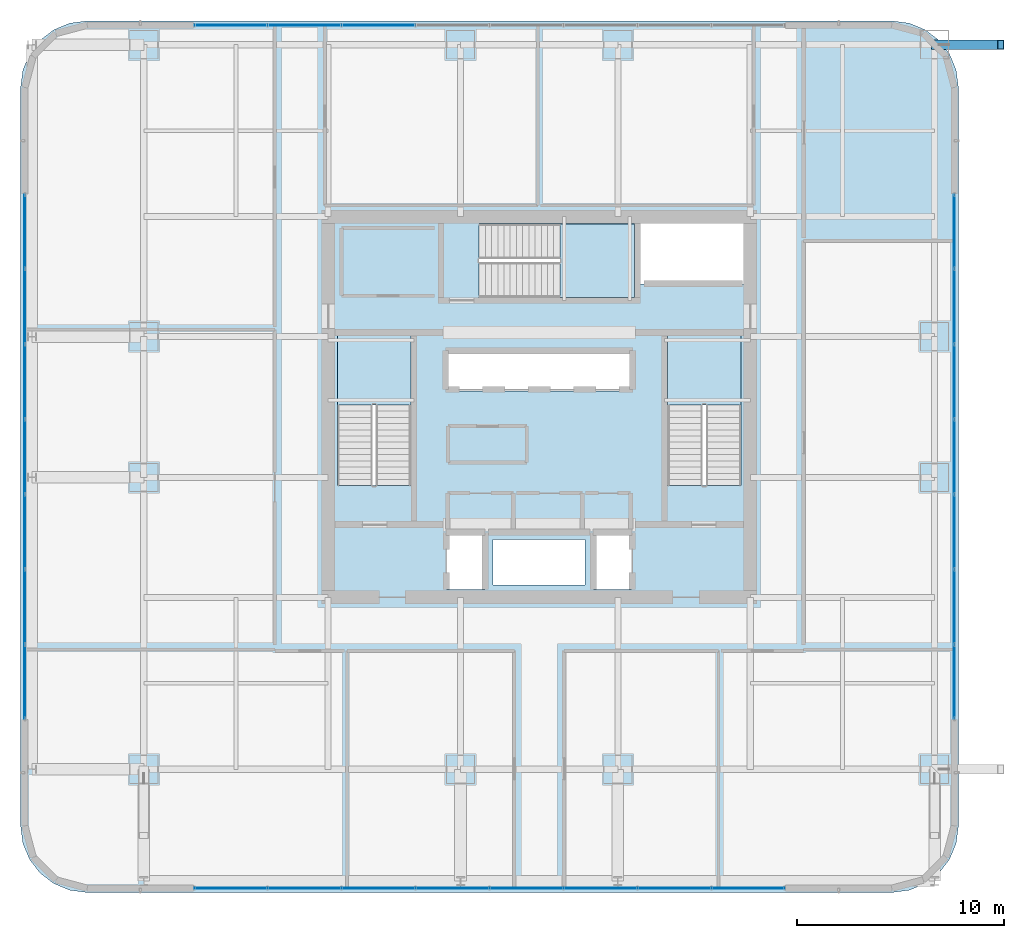
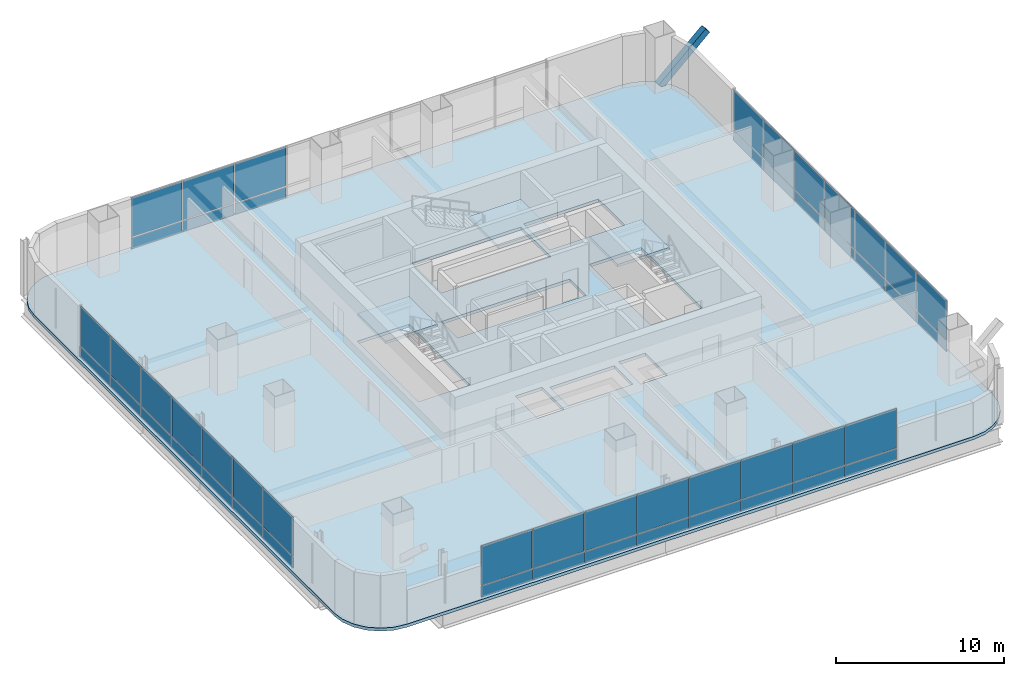
# One storey, part 28 of 46: 50 plates, 4 slabs, 1 member, 7 elements without a shape of their own.
"""IFC4 building model written with IfcOpenShell, lengths in metres."""

import ifcopenshell
import ifcopenshell.guid

model = None  # the IFC model being written
_history = None  # IfcOwnerHistory: only IFC2X3 demands one
_inside = {}  # id of a spatial element -> (the spatial element, [elements in it])
_under = {}  # id of a project, library or spatial element -> (it, [spatial elements below it])
_declared = {}  # id of a project -> (the project, [libraries it declares])
_typed = {}  # id of a type object -> (the type object, [elements of that type])
_made_of = {}  # id of a material, layer set ... -> (it, [elements and type objects made of it])


def new_model(schema):
    """Start an empty IFC model of exactly this schema.

    Asked for "IFC4X3", IfcOpenShell would pick the latest addendum, in which some entities
    have other attributes; the version numbers below select the first issue.
    IFC2X3 requires an IfcOwnerHistory on every rooted entity: one is made here for all.
    """
    global model, _history
    if schema == "IFC4X3":
        model = ifcopenshell.file(schema_version=(4, 3, 0, 0))
    else:
        model = ifcopenshell.file(schema=schema)
    _inside.clear()
    _under.clear()
    _declared.clear()
    _typed.clear()
    _made_of.clear()
    _history = None
    if model.schema == "IFC2X3":
        org = make("IfcOrganization", Name="unknown")
        user = make(
            "IfcPersonAndOrganization",
            ThePerson=make("IfcPerson", FamilyName="unknown"),
            TheOrganization=org,
        )
        app = make(
            "IfcApplication",
            ApplicationDeveloper=org,
            Version="unknown",
            ApplicationFullName="unknown",
            ApplicationIdentifier="unknown",
        )
        _history = make(
            "IfcOwnerHistory",
            OwningUser=user,
            OwningApplication=app,
            ChangeAction="ADDED",
            CreationDate=0,
        )
    return model


def make(cls, **values):
    """One entity of the class cls with the attributes given. An attribute that is None is left unset."""
    return model.create_entity(
        cls, **{name: value for name, value in values.items() if value is not None}
    )


def rooted(cls, **values):
    """An entity with a GlobalId (a new one), such as an element, a storey or a relation."""
    return make(cls, GlobalId=ifcopenshell.guid.new(), OwnerHistory=_history, **values)


def si_unit(unit_type, name, prefix=None):
    """IfcSIUnit, for example si_unit("LENGTHUNIT", "METRE", prefix="MILLI")."""
    return make("IfcSIUnit", UnitType=unit_type, Prefix=prefix, Name=name)


def assignment(units):
    """IfcUnitAssignment: the units of a project."""
    return None if units is None else make("IfcUnitAssignment", Units=units)


def point(xyz):
    """IfcCartesianPoint."""
    return None if xyz is None else make("IfcCartesianPoint", Coordinates=xyz)


def direction(xyz):
    """IfcDirection."""
    return None if xyz is None else make("IfcDirection", DirectionRatios=xyz)


def frame(location, z_axis=None, x_axis=None):
    """IfcAxis2Placement3D, a coordinate frame: its origin and axes. An axis left out is left unset."""
    return make(
        "IfcAxis2Placement3D",
        Location=point(location),
        Axis=direction(z_axis),
        RefDirection=direction(x_axis),
    )


def frame_2d(location, x_axis=None):
    """IfcAxis2Placement2D, a coordinate frame in the plane: its origin and x axis."""
    return make(
        "IfcAxis2Placement2D", Location=point(location), RefDirection=direction(x_axis)
    )


def origin():
    """The frame at (0, 0, 0) with its axes left unset."""
    return frame((0.0, 0.0, 0.0))


def origin_2d():
    """The frame at (0, 0) in the plane with its x axis left unset."""
    return frame_2d((0.0, 0.0))


def place(relative_to, where):
    """IfcLocalPlacement: puts the frame where relative to a parent placement (None: the world)."""
    return make(
        "IfcLocalPlacement", PlacementRelTo=relative_to, RelativePlacement=where
    )


def context(
    kind, dimensions, precision=None, world=None, true_north=None, identifier=None
):
    """IfcGeometricRepresentationContext, for example the 3D "Model" context."""
    return make(
        "IfcGeometricRepresentationContext",
        ContextIdentifier=identifier,
        ContextType=kind,
        CoordinateSpaceDimension=dimensions,
        Precision=precision,
        WorldCoordinateSystem=world,
        TrueNorth=true_north,
    )


def subcontext(parent, identifier, kind, view, scale=None):
    """IfcGeometricRepresentationSubContext, for example "Body" below "Model"."""
    return make(
        "IfcGeometricRepresentationSubContext",
        ContextIdentifier=identifier,
        ContextType=kind,
        ParentContext=parent,
        TargetScale=scale,
        TargetView=view,
    )


def project(units=None, contexts=None):
    """IfcProject with its units and contexts."""
    return rooted(
        "IfcProject",
        Name="project",
        RepresentationContexts=contexts,
        UnitsInContext=assignment(units),
    )


def spatial(cls, under=None, at=None, **own):
    """A site, building, storey or space (cls), placed at a placement, below another one or the project."""
    s = rooted(cls, ObjectPlacement=at, **own)
    if under is not None:
        _under.setdefault(under.id(), (under, []))[1].append(s)
    return s


def polyline(points):
    """IfcPolyline through the points."""
    return make("IfcPolyline", Points=[point(p) for p in points])


def profile(cls, at=None, kind="AREA", **sizes):
    """A parametric profile (cls). Its sizes go by their IFC names, for example OverallWidth=200.0."""
    return make(cls, ProfileType=kind, Position=at, **sizes)


def rectangle(**sizes):
    """IfcRectangleProfileDef."""
    return profile("IfcRectangleProfileDef", **sizes)


def hollow_rectangle(**sizes):
    """IfcRectangleHollowProfileDef."""
    return profile("IfcRectangleHollowProfileDef", **sizes)


def outline(outer, holes=None, kind="AREA"):
    """IfcArbitraryClosedProfileDef: a profile drawn as a closed curve; with holes, ...WithVoids."""
    if holes is None:
        return make("IfcArbitraryClosedProfileDef", ProfileType=kind, OuterCurve=outer)
    return make(
        "IfcArbitraryProfileDefWithVoids",
        ProfileType=kind,
        OuterCurve=outer,
        InnerCurves=holes,
    )


def extrude(swept, where, along, depth):
    """IfcExtrudedAreaSolid: the profile swept, set in the frame where, extruded along a direction by depth."""
    return make(
        "IfcExtrudedAreaSolid",
        SweptArea=swept,
        Position=where,
        ExtrudedDirection=direction(along),
        Depth=depth,
    )


def shape(context_of_items, identifier, shape_type, items):
    """IfcShapeRepresentation: the items that make up one representation, for example the "Body"."""
    return make(
        "IfcShapeRepresentation",
        ContextOfItems=context_of_items,
        RepresentationIdentifier=identifier,
        RepresentationType=shape_type,
        Items=items,
    )


def material(Name=None, Category=None):
    """IfcMaterial."""
    return make("IfcMaterial", Name=Name, Category=Category)


def layer(
    of_material, thickness, ventilated=None, Name=None, Category=None, Priority=None
):
    """IfcMaterialLayer: one layer of a wall or slab, of a material (None: an air gap)."""
    return make(
        "IfcMaterialLayer",
        Material=of_material,
        LayerThickness=thickness,
        IsVentilated=ventilated,
        Name=Name,
        Category=Category,
        Priority=Priority,
    )


def layer_set(layers, Name=None):
    """IfcMaterialLayerSet."""
    return make("IfcMaterialLayerSet", MaterialLayers=layers, LayerSetName=Name)


def material_profile(
    of_material, cross_section, Name=None, Category=None, Priority=None
):
    """IfcMaterialProfile: a cross section and its material."""
    return make(
        "IfcMaterialProfile",
        Name=Name,
        Material=of_material,
        Profile=cross_section,
        Priority=Priority,
        Category=Category,
    )


def profile_set(profiles, Name=None, composite=None):
    """IfcMaterialProfileSet."""
    return make(
        "IfcMaterialProfileSet",
        Name=Name,
        MaterialProfiles=profiles,
        CompositeProfile=composite,
    )


def made_of(thing, what):
    """Note that an element or type object is made of a material, layer set ...; save() writes the relation."""
    if what is not None:
        _made_of.setdefault(what.id(), (what, []))[1].append(thing)
    return thing


def type_object(cls, material=None, **own):
    """A type object (cls), such as IfcWallType, which elements share."""
    return made_of(rooted(cls, **own), material)


def element(
    cls,
    number,
    at=None,
    inside=None,
    cuts=None,
    type_object=None,
    material=None,
    context=None,
    identifier="Body",
    shape_type=None,
    held_by="IfcProductDefinitionShape",
    body=None,
    shapes=None,
    **own,
):
    """One element of the class cls, such as IfcWall. Its Tag is "e" and its number.

    at: its placement. inside: the storey or other place that contains it. cuts: it is an
    opening in that element (IfcRelVoidsElement). A single representation is given by context,
    identifier, shape_type and body (its items); several are given by shapes. held_by: the class
    of the entity that holds the representations. save() writes the other relations.
    """
    e = rooted(cls, Tag="e%d" % number, ObjectPlacement=at, **own)
    if body is not None:
        shapes = [shape(context, identifier, shape_type, body)]
    if shapes is not None:
        e.Representation = make(held_by, Representations=shapes)
    if inside is not None:
        _inside.setdefault(inside.id(), (inside, []))[1].append(e)
    if cuts is not None:
        rooted(
            "IfcRelVoidsElement", RelatingBuildingElement=cuts, RelatedOpeningElement=e
        )
    if type_object is not None:
        _typed.setdefault(type_object.id(), (type_object, []))[1].append(e)
    return made_of(e, material)


def aggregate(whole, parts):
    """IfcRelAggregates: a whole, such as a stair, and the parts it consists of."""
    return rooted("IfcRelAggregates", RelatingObject=whole, RelatedObjects=parts)


def save(model, path):
    """Write the relations noted so far, then the file.

    IfcRelAggregates (storeys below a building ...), IfcRelContainedInSpatialStructure (elements
    in a storey), IfcRelDefinesByType, IfcRelAssociatesMaterial and IfcRelDeclares: one each for
    every whole, place, type object, material and project.
    """
    for whole, parts in _under.values():
        aggregate(whole, parts)
    for where, things in _inside.values():
        rooted(
            "IfcRelContainedInSpatialStructure",
            RelatedElements=things,
            RelatingStructure=where,
        )
    for kind, things in _typed.values():
        rooted("IfcRelDefinesByType", RelatedObjects=things, RelatingType=kind)
    for what, things in _made_of.values():
        rooted("IfcRelAssociatesMaterial", RelatedObjects=things, RelatingMaterial=what)
    for by, libraries in _declared.values():
        rooted("IfcRelDeclares", RelatingContext=by, RelatedDefinitions=libraries)
    model.write(path)


model = new_model("IFC4")

# Units and contexts
model_context = context("Model", 3, precision=1e-05, world=origin(), true_north=direction((0.0, 1.0)))
body_context = subcontext(model_context, "Body", "Model", "MODEL_VIEW")
ifc_project = project(units=[si_unit("LENGTHUNIT", "METRE"), si_unit("AREAUNIT", "SQUARE_METRE"), si_unit("VOLUMEUNIT", "CUBIC_METRE"), si_unit("PLANEANGLEUNIT", "RADIAN"), si_unit("MASSUNIT", "GRAM", prefix="KILO")], contexts=[model_context])

# Site, building, storey
site_placement = place(None, origin())
site = spatial("IfcSite", under=ifc_project, at=site_placement, CompositionType="ELEMENT")
building_placement = place(site_placement, origin())
building = spatial("IfcBuilding", under=site, at=building_placement, Name="Punatoya Terracotta Tower", CompositionType="ELEMENT")
storey_placement = place(building_placement, frame((0.0, 0.0, 200.550048828125)))
storey = spatial("IfcBuildingStorey", under=building, at=storey_placement, Name="L47", CompositionType="ELEMENT", Elevation=200.550048828125)

# Member
ifc_material_1 = material(Name="Steel S460", Category="steel")
ifc_material_profile = material_profile(ifc_material_1, hollow_rectangle(XDim=0.449951171875, YDim=0.449951171875, WallThickness=0.02490234375, at=origin_2d()))
ifc_profile_set = profile_set([ifc_material_profile], Name="Steel S460")
member_type = type_object("IfcMemberType", Name="MEM-STR-450", PredefinedType="STRUT", material=ifc_profile_set)
member_placement = place(storey_placement, frame((19.10009765625, 17.5, 0.02001953125), z_axis=(0.735244168043, 0.0, 0.677802340922), x_axis=(0.0, 1.0, 0.0)))
element("IfcMember", 1, at=member_placement, inside=storey, type_object=member_type, Name="L48 Cantilever Raking Knee-Strut E2", PredefinedType="STRUT", context=body_context, shape_type="SweptSolid", body=[
    extrude(hollow_rectangle(XDim=0.449951171875, YDim=0.449951171875, WallThickness=0.02490234375, at=origin_2d()), origin(), (0.0, 0.0, 1.0), 4.352294921875),
])

# Curtain wall, plates
ifc_material_2 = material(Name="Aluminium 6063-T6 + Double Low-E Glass", Category="aluminium")
curtain_wall_type = type_object("IfcCurtainWallType", Name="CW-M2", PredefinedType="NOTDEFINED", material=ifc_material_2)
curtain_wall_1_placement = place(storey_placement, origin())
curtain_wall_1 = element("IfcCurtainWall", 2, at=curtain_wall_1_placement, inside=storey, type_object=curtain_wall_type, Name="L47 Curtain Wall CW-L47-S01-1", PredefinedType="NOTDEFINED")
ifc_material_3 = material(Name="Double Low-E Acoustic Vision Glass", Category="glass")
ifc_layer_1 = layer(ifc_material_3, 0.031982421875)
ifc_layer_set_1 = layer_set([ifc_layer_1], Name="Double Low-E Acoustic Vision Glass")
plate_type_1 = type_object("IfcPlateType", Name="PLT-GLZ-32", PredefinedType="CURTAIN_PANEL", material=ifc_layer_set_1)
plate_1_placement = place(storey_placement, frame((-14.91259765625, -23.25, 0.89013671875), z_axis=(0.0, 0.0, 1.0), x_axis=(1.0, 0.0, 0.0)))
plate_1 = element("IfcPlate", 3, at=plate_1_placement, type_object=plate_type_1, Name="CW-L47-S01-1 Vision Glass Panel 1", PredefinedType="CURTAIN_PANEL", context=body_context, shape_type="SweptSolid", body=[
    extrude(rectangle(XDim=3.489990234375, YDim=0.031982421875, at=origin_2d()), origin(), (0.0, 0.0, 1.0), 2.840087890625),
])
plate_2_placement = place(storey_placement, frame((-11.33740234375, -23.25, 0.89013671875), z_axis=(0.0, 0.0, 1.0), x_axis=(1.0, 0.0, 0.0)))
plate_2 = element("IfcPlate", 4, at=plate_2_placement, type_object=plate_type_1, Name="CW-L47-S01-1 Vision Glass Panel 2", PredefinedType="CURTAIN_PANEL", context=body_context, shape_type="SweptSolid", body=[
    extrude(rectangle(XDim=3.489990234375, YDim=0.031982421875, at=origin_2d()), origin(), (0.0, 0.0, 1.0), 2.840087890625),
])
plate_3_placement = place(storey_placement, frame((-7.762451171875, -23.25, 0.89013671875), z_axis=(0.0, 0.0, 1.0), x_axis=(1.0, 0.0, 0.0)))
plate_3 = element("IfcPlate", 5, at=plate_3_placement, type_object=plate_type_1, Name="CW-L47-S01-1 Vision Glass Panel 3", PredefinedType="CURTAIN_PANEL", context=body_context, shape_type="SweptSolid", body=[
    extrude(rectangle(XDim=3.489990234375, YDim=0.031982421875, at=origin_2d()), origin(), (0.0, 0.0, 1.0), 2.840087890625),
])
plate_4_placement = place(storey_placement, frame((-4.1875, -23.25, 0.89013671875), z_axis=(0.0, 0.0, 1.0), x_axis=(1.0, 0.0, 0.0)))
plate_4 = element("IfcPlate", 6, at=plate_4_placement, type_object=plate_type_1, Name="CW-L47-S01-1 Vision Glass Panel 4", PredefinedType="CURTAIN_PANEL", context=body_context, shape_type="SweptSolid", body=[
    extrude(rectangle(XDim=3.489990234375, YDim=0.031982421875, at=origin_2d()), origin(), (0.0, 0.0, 1.0), 2.840087890625),
])
plate_5_placement = place(storey_placement, frame((-0.612548828125, -23.25, 0.89013671875), z_axis=(0.0, 0.0, 1.0), x_axis=(1.0, 0.0, 0.0)))
plate_5 = element("IfcPlate", 7, at=plate_5_placement, type_object=plate_type_1, Name="CW-L47-S01-1 Vision Glass Panel 5", PredefinedType="CURTAIN_PANEL", context=body_context, shape_type="SweptSolid", body=[
    extrude(rectangle(XDim=3.489990234375, YDim=0.031982421875, at=origin_2d()), origin(), (0.0, 0.0, 1.0), 2.840087890625),
])
plate_6_placement = place(storey_placement, frame((2.96240234375, -23.25, 0.89013671875), z_axis=(0.0, 0.0, 1.0), x_axis=(1.0, 0.0, 0.0)))
plate_6 = element("IfcPlate", 8, at=plate_6_placement, type_object=plate_type_1, Name="CW-L47-S01-1 Vision Glass Panel 6", PredefinedType="CURTAIN_PANEL", context=body_context, shape_type="SweptSolid", body=[
    extrude(rectangle(XDim=3.489990234375, YDim=0.031982421875, at=origin_2d()), origin(), (0.0, 0.0, 1.0), 2.840087890625),
])
plate_7_placement = place(storey_placement, frame((6.53759765625, -23.25, 0.89013671875), z_axis=(0.0, 0.0, 1.0), x_axis=(1.0, 0.0, 0.0)))
plate_7 = element("IfcPlate", 9, at=plate_7_placement, type_object=plate_type_1, Name="CW-L47-S01-1 Vision Glass Panel 7", PredefinedType="CURTAIN_PANEL", context=body_context, shape_type="SweptSolid", body=[
    extrude(rectangle(XDim=3.489990234375, YDim=0.031982421875, at=origin_2d()), origin(), (0.0, 0.0, 1.0), 2.840087890625),
])
plate_8_placement = place(storey_placement, frame((10.112548828125, -23.25, 0.89013671875), z_axis=(0.0, 0.0, 1.0), x_axis=(1.0, 0.0, 0.0)))
plate_8 = element("IfcPlate", 10, at=plate_8_placement, type_object=plate_type_1, Name="CW-L47-S01-1 Vision Glass Panel 8", PredefinedType="CURTAIN_PANEL", context=body_context, shape_type="SweptSolid", body=[
    extrude(rectangle(XDim=3.489990234375, YDim=0.031982421875, at=origin_2d()), origin(), (0.0, 0.0, 1.0), 2.840087890625),
])

curtain_wall_2_placement = place(storey_placement, origin())
curtain_wall_2 = element("IfcCurtainWall", 11, at=curtain_wall_2_placement, inside=storey, type_object=curtain_wall_type, Name="L47 Curtain Wall CW-L47-E05-1", PredefinedType="NOTDEFINED")
plate_9_placement = place(storey_placement, frame((20.050048828125, -13.28564453125, 0.89013671875), z_axis=(0.0, 0.0, 1.0), x_axis=(0.0, 1.0, 0.0)))
plate_9 = element("IfcPlate", 12, at=plate_9_placement, type_object=plate_type_1, Name="CW-L47-E05-1 Vision Glass Panel 1", PredefinedType="CURTAIN_PANEL", context=body_context, shape_type="SweptSolid", body=[
    extrude(rectangle(XDim=3.543701171875, YDim=0.031982421875, at=origin_2d()), origin(), (0.0, 0.0, 1.0), 2.840087890625),
])
plate_10_placement = place(storey_placement, frame((20.050048828125, -9.656982421875, 0.89013671875), z_axis=(0.0, 0.0, 1.0), x_axis=(0.0, 1.0, 0.0)))
plate_10 = element("IfcPlate", 13, at=plate_10_placement, type_object=plate_type_1, Name="CW-L47-E05-1 Vision Glass Panel 2", PredefinedType="CURTAIN_PANEL", context=body_context, shape_type="SweptSolid", body=[
    extrude(rectangle(XDim=3.543701171875, YDim=0.031982421875, at=origin_2d()), origin(), (0.0, 0.0, 1.0), 2.840087890625),
])
plate_11_placement = place(storey_placement, frame((20.050048828125, -6.028564453125, 0.89013671875), z_axis=(0.0, 0.0, 1.0), x_axis=(0.0, 1.0, 0.0)))
plate_11 = element("IfcPlate", 14, at=plate_11_placement, type_object=plate_type_1, Name="CW-L47-E05-1 Vision Glass Panel 3", PredefinedType="CURTAIN_PANEL", context=body_context, shape_type="SweptSolid", body=[
    extrude(rectangle(XDim=3.543701171875, YDim=0.031982421875, at=origin_2d()), origin(), (0.0, 0.0, 1.0), 2.840087890625),
])
plate_12_placement = place(storey_placement, frame((20.050048828125, -2.39990234375, 0.89013671875), z_axis=(0.0, 0.0, 1.0), x_axis=(0.0, 1.0, 0.0)))
plate_12 = element("IfcPlate", 15, at=plate_12_placement, type_object=plate_type_1, Name="CW-L47-E05-1 Vision Glass Panel 4", PredefinedType="CURTAIN_PANEL", context=body_context, shape_type="SweptSolid", body=[
    extrude(rectangle(XDim=3.543701171875, YDim=0.031982421875, at=origin_2d()), origin(), (0.0, 0.0, 1.0), 2.840087890625),
])
plate_13_placement = place(storey_placement, frame((20.050048828125, 1.228515625, 0.89013671875), z_axis=(0.0, 0.0, 1.0), x_axis=(0.0, 1.0, 0.0)))
plate_13 = element("IfcPlate", 16, at=plate_13_placement, type_object=plate_type_1, Name="CW-L47-E05-1 Vision Glass Panel 5", PredefinedType="CURTAIN_PANEL", context=body_context, shape_type="SweptSolid", body=[
    extrude(rectangle(XDim=3.543701171875, YDim=0.031982421875, at=origin_2d()), origin(), (0.0, 0.0, 1.0), 2.840087890625),
])
plate_14_placement = place(storey_placement, frame((20.050048828125, 4.857177734375, 0.89013671875), z_axis=(0.0, 0.0, 1.0), x_axis=(0.0, 1.0, 0.0)))
plate_14 = element("IfcPlate", 17, at=plate_14_placement, type_object=plate_type_1, Name="CW-L47-E05-1 Vision Glass Panel 6", PredefinedType="CURTAIN_PANEL", context=body_context, shape_type="SweptSolid", body=[
    extrude(rectangle(XDim=3.543701171875, YDim=0.031982421875, at=origin_2d()), origin(), (0.0, 0.0, 1.0), 2.840087890625),
])
plate_15_placement = place(storey_placement, frame((20.050048828125, 8.485595703125, 0.89013671875), z_axis=(0.0, 0.0, 1.0), x_axis=(0.0, 1.0, 0.0)))
plate_15 = element("IfcPlate", 18, at=plate_15_placement, type_object=plate_type_1, Name="CW-L47-E05-1 Vision Glass Panel 7", PredefinedType="CURTAIN_PANEL", context=body_context, shape_type="SweptSolid", body=[
    extrude(rectangle(XDim=3.543701171875, YDim=0.031982421875, at=origin_2d()), origin(), (0.0, 0.0, 1.0), 2.840087890625),
])

curtain_wall_3_placement = place(storey_placement, origin())
curtain_wall_3 = element("IfcCurtainWall", 19, at=curtain_wall_3_placement, inside=storey, type_object=curtain_wall_type, Name="L47 Curtain Wall CW-L47-N09-1", PredefinedType="NOTDEFINED")
plate_16_placement = place(storey_placement, frame((-7.762451171875, 18.449951171875, 0.89013671875), z_axis=(0.0, 0.0, 1.0), x_axis=(-1.0, 0.0, 0.0)))
plate_16 = element("IfcPlate", 20, at=plate_16_placement, type_object=plate_type_1, Name="CW-L47-N09-1 Vision Glass Panel 6", PredefinedType="CURTAIN_PANEL", context=body_context, shape_type="SweptSolid", body=[
    extrude(rectangle(XDim=3.489990234375, YDim=0.031982421875, at=origin_2d()), origin(), (0.0, 0.0, 1.0), 2.840087890625),
])
plate_17_placement = place(storey_placement, frame((-11.33740234375, 18.449951171875, 0.89013671875), z_axis=(0.0, 0.0, 1.0), x_axis=(-1.0, 0.0, 0.0)))
plate_17 = element("IfcPlate", 21, at=plate_17_placement, type_object=plate_type_1, Name="CW-L47-N09-1 Vision Glass Panel 7", PredefinedType="CURTAIN_PANEL", context=body_context, shape_type="SweptSolid", body=[
    extrude(rectangle(XDim=3.489990234375, YDim=0.031982421875, at=origin_2d()), origin(), (0.0, 0.0, 1.0), 2.840087890625),
])
plate_18_placement = place(storey_placement, frame((-14.91259765625, 18.449951171875, 0.89013671875), z_axis=(0.0, 0.0, 1.0), x_axis=(-1.0, 0.0, 0.0)))
plate_18 = element("IfcPlate", 22, at=plate_18_placement, type_object=plate_type_1, Name="CW-L47-N09-1 Vision Glass Panel 8", PredefinedType="CURTAIN_PANEL", context=body_context, shape_type="SweptSolid", body=[
    extrude(rectangle(XDim=3.489990234375, YDim=0.031982421875, at=origin_2d()), origin(), (0.0, 0.0, 1.0), 2.840087890625),
])

curtain_wall_4_placement = place(storey_placement, origin())
curtain_wall_4 = element("IfcCurtainWall", 23, at=curtain_wall_4_placement, inside=storey, type_object=curtain_wall_type, Name="L47 Curtain Wall CW-L47-W13-1", PredefinedType="NOTDEFINED")
plate_19_placement = place(storey_placement, frame((-24.85009765625, 8.485595703125, 0.89013671875), z_axis=(0.0, 0.0, 1.0), x_axis=(0.0, -1.0, 0.0)))
plate_19 = element("IfcPlate", 24, at=plate_19_placement, type_object=plate_type_1, Name="CW-L47-W13-1 Vision Glass Panel 1", PredefinedType="CURTAIN_PANEL", context=body_context, shape_type="SweptSolid", body=[
    extrude(rectangle(XDim=3.543701171875, YDim=0.031982421875, at=origin_2d()), origin(), (0.0, 0.0, 1.0), 2.840087890625),
])
plate_20_placement = place(storey_placement, frame((-24.85009765625, 4.857177734375, 0.89013671875), z_axis=(0.0, 0.0, 1.0), x_axis=(0.0, -1.0, 0.0)))
plate_20 = element("IfcPlate", 25, at=plate_20_placement, type_object=plate_type_1, Name="CW-L47-W13-1 Vision Glass Panel 2", PredefinedType="CURTAIN_PANEL", context=body_context, shape_type="SweptSolid", body=[
    extrude(rectangle(XDim=3.543701171875, YDim=0.031982421875, at=origin_2d()), origin(), (0.0, 0.0, 1.0), 2.840087890625),
])
plate_21_placement = place(storey_placement, frame((-24.85009765625, 1.228515625, 0.89013671875), z_axis=(0.0, 0.0, 1.0), x_axis=(0.0, -1.0, 0.0)))
plate_21 = element("IfcPlate", 26, at=plate_21_placement, type_object=plate_type_1, Name="CW-L47-W13-1 Vision Glass Panel 3", PredefinedType="CURTAIN_PANEL", context=body_context, shape_type="SweptSolid", body=[
    extrude(rectangle(XDim=3.543701171875, YDim=0.031982421875, at=origin_2d()), origin(), (0.0, 0.0, 1.0), 2.840087890625),
])
plate_22_placement = place(storey_placement, frame((-24.85009765625, -2.39990234375, 0.89013671875), z_axis=(0.0, 0.0, 1.0), x_axis=(0.0, -1.0, 0.0)))
plate_22 = element("IfcPlate", 27, at=plate_22_placement, type_object=plate_type_1, Name="CW-L47-W13-1 Vision Glass Panel 4", PredefinedType="CURTAIN_PANEL", context=body_context, shape_type="SweptSolid", body=[
    extrude(rectangle(XDim=3.543701171875, YDim=0.031982421875, at=origin_2d()), origin(), (0.0, 0.0, 1.0), 2.840087890625),
])
plate_23_placement = place(storey_placement, frame((-24.85009765625, -6.028564453125, 0.89013671875), z_axis=(0.0, 0.0, 1.0), x_axis=(0.0, -1.0, 0.0)))
plate_23 = element("IfcPlate", 28, at=plate_23_placement, type_object=plate_type_1, Name="CW-L47-W13-1 Vision Glass Panel 5", PredefinedType="CURTAIN_PANEL", context=body_context, shape_type="SweptSolid", body=[
    extrude(rectangle(XDim=3.543701171875, YDim=0.031982421875, at=origin_2d()), origin(), (0.0, 0.0, 1.0), 2.840087890625),
])
plate_24_placement = place(storey_placement, frame((-24.85009765625, -9.656982421875, 0.89013671875), z_axis=(0.0, 0.0, 1.0), x_axis=(0.0, -1.0, 0.0)))
plate_24 = element("IfcPlate", 29, at=plate_24_placement, type_object=plate_type_1, Name="CW-L47-W13-1 Vision Glass Panel 6", PredefinedType="CURTAIN_PANEL", context=body_context, shape_type="SweptSolid", body=[
    extrude(rectangle(XDim=3.543701171875, YDim=0.031982421875, at=origin_2d()), origin(), (0.0, 0.0, 1.0), 2.840087890625),
])
plate_25_placement = place(storey_placement, frame((-24.85009765625, -13.28564453125, 0.89013671875), z_axis=(0.0, 0.0, 1.0), x_axis=(0.0, -1.0, 0.0)))
plate_25 = element("IfcPlate", 30, at=plate_25_placement, type_object=plate_type_1, Name="CW-L47-W13-1 Vision Glass Panel 7", PredefinedType="CURTAIN_PANEL", context=body_context, shape_type="SweptSolid", body=[
    extrude(rectangle(XDim=3.543701171875, YDim=0.031982421875, at=origin_2d()), origin(), (0.0, 0.0, 1.0), 2.840087890625),
])

# Plate
ifc_material_4 = material(Name="Insulated Terracotta-Backed Spandrel Panel", Category="masonry")
ifc_layer_2 = layer(ifc_material_4, 0.044921875)
ifc_layer_set_2 = layer_set([ifc_layer_2], Name="Insulated Terracotta-Backed Spandrel Panel")
plate_type_2 = type_object("IfcPlateType", Name="PLT-SPN-45", PredefinedType="CURTAIN_PANEL", material=ifc_layer_set_2)
plate_26_placement = place(storey_placement, frame((-14.91259765625, -23.25, 0.0400390625), z_axis=(0.0, 0.0, 1.0), x_axis=(1.0, 0.0, 0.0)))
plate_26 = element("IfcPlate", 31, at=plate_26_placement, type_object=plate_type_2, Name="CW-L47-S01-1 Terracotta Spandrel Panel 1", PredefinedType="CURTAIN_PANEL", context=body_context, shape_type="SweptSolid", body=[
    extrude(rectangle(XDim=3.489990234375, YDim=0.044921875, at=origin_2d()), origin(), (0.0, 0.0, 1.0), 0.77490234375),
])

plate_27_placement = place(storey_placement, frame((-11.33740234375, -23.25, 0.0400390625), z_axis=(0.0, 0.0, 1.0), x_axis=(1.0, 0.0, 0.0)))
plate_27 = element("IfcPlate", 32, at=plate_27_placement, type_object=plate_type_2, Name="CW-L47-S01-1 Terracotta Spandrel Panel 2", PredefinedType="CURTAIN_PANEL", context=body_context, shape_type="SweptSolid", body=[
    extrude(rectangle(XDim=3.489990234375, YDim=0.044921875, at=origin_2d()), origin(), (0.0, 0.0, 1.0), 0.77490234375),
])

plate_28_placement = place(storey_placement, frame((-7.762451171875, -23.25, 0.0400390625), z_axis=(0.0, 0.0, 1.0), x_axis=(1.0, 0.0, 0.0)))
plate_28 = element("IfcPlate", 33, at=plate_28_placement, type_object=plate_type_2, Name="CW-L47-S01-1 Terracotta Spandrel Panel 3", PredefinedType="CURTAIN_PANEL", context=body_context, shape_type="SweptSolid", body=[
    extrude(rectangle(XDim=3.489990234375, YDim=0.044921875, at=origin_2d()), origin(), (0.0, 0.0, 1.0), 0.77490234375),
])

plate_29_placement = place(storey_placement, frame((-4.1875, -23.25, 0.0400390625), z_axis=(0.0, 0.0, 1.0), x_axis=(1.0, 0.0, 0.0)))
plate_29 = element("IfcPlate", 34, at=plate_29_placement, type_object=plate_type_2, Name="CW-L47-S01-1 Terracotta Spandrel Panel 4", PredefinedType="CURTAIN_PANEL", context=body_context, shape_type="SweptSolid", body=[
    extrude(rectangle(XDim=3.489990234375, YDim=0.044921875, at=origin_2d()), origin(), (0.0, 0.0, 1.0), 0.77490234375),
])

plate_30_placement = place(storey_placement, frame((-0.612548828125, -23.25, 0.0400390625), z_axis=(0.0, 0.0, 1.0), x_axis=(1.0, 0.0, 0.0)))
plate_30 = element("IfcPlate", 35, at=plate_30_placement, type_object=plate_type_2, Name="CW-L47-S01-1 Terracotta Spandrel Panel 5", PredefinedType="CURTAIN_PANEL", context=body_context, shape_type="SweptSolid", body=[
    extrude(rectangle(XDim=3.489990234375, YDim=0.044921875, at=origin_2d()), origin(), (0.0, 0.0, 1.0), 0.77490234375),
])

plate_31_placement = place(storey_placement, frame((2.96240234375, -23.25, 0.0400390625), z_axis=(0.0, 0.0, 1.0), x_axis=(1.0, 0.0, 0.0)))
plate_31 = element("IfcPlate", 36, at=plate_31_placement, type_object=plate_type_2, Name="CW-L47-S01-1 Terracotta Spandrel Panel 6", PredefinedType="CURTAIN_PANEL", context=body_context, shape_type="SweptSolid", body=[
    extrude(rectangle(XDim=3.489990234375, YDim=0.044921875, at=origin_2d()), origin(), (0.0, 0.0, 1.0), 0.77490234375),
])

plate_32_placement = place(storey_placement, frame((6.53759765625, -23.25, 0.0400390625), z_axis=(0.0, 0.0, 1.0), x_axis=(1.0, 0.0, 0.0)))
plate_32 = element("IfcPlate", 37, at=plate_32_placement, type_object=plate_type_2, Name="CW-L47-S01-1 Terracotta Spandrel Panel 7", PredefinedType="CURTAIN_PANEL", context=body_context, shape_type="SweptSolid", body=[
    extrude(rectangle(XDim=3.489990234375, YDim=0.044921875, at=origin_2d()), origin(), (0.0, 0.0, 1.0), 0.77490234375),
])

plate_33_placement = place(storey_placement, frame((10.112548828125, -23.25, 0.0400390625), z_axis=(0.0, 0.0, 1.0), x_axis=(1.0, 0.0, 0.0)))
plate_33 = element("IfcPlate", 38, at=plate_33_placement, type_object=plate_type_2, Name="CW-L47-S01-1 Terracotta Spandrel Panel 8", PredefinedType="CURTAIN_PANEL", context=body_context, shape_type="SweptSolid", body=[
    extrude(rectangle(XDim=3.489990234375, YDim=0.044921875, at=origin_2d()), origin(), (0.0, 0.0, 1.0), 0.77490234375),
])

aggregate(curtain_wall_1, [plate_26, plate_1, plate_27, plate_2, plate_28, plate_3, plate_29, plate_4, plate_30, plate_5, plate_31, plate_6, plate_32, plate_7, plate_33, plate_8])

plate_34_placement = place(storey_placement, frame((20.050048828125, -13.28564453125, 0.0400390625), z_axis=(0.0, 0.0, 1.0), x_axis=(0.0, 1.0, 0.0)))
plate_34 = element("IfcPlate", 39, at=plate_34_placement, type_object=plate_type_2, Name="CW-L47-E05-1 Terracotta Spandrel Panel 1", PredefinedType="CURTAIN_PANEL", context=body_context, shape_type="SweptSolid", body=[
    extrude(rectangle(XDim=3.543701171875, YDim=0.044921875, at=origin_2d()), origin(), (0.0, 0.0, 1.0), 0.77490234375),
])

plate_35_placement = place(storey_placement, frame((20.050048828125, -9.656982421875, 0.0400390625), z_axis=(0.0, 0.0, 1.0), x_axis=(0.0, 1.0, 0.0)))
plate_35 = element("IfcPlate", 40, at=plate_35_placement, type_object=plate_type_2, Name="CW-L47-E05-1 Terracotta Spandrel Panel 2", PredefinedType="CURTAIN_PANEL", context=body_context, shape_type="SweptSolid", body=[
    extrude(rectangle(XDim=3.543701171875, YDim=0.044921875, at=origin_2d()), origin(), (0.0, 0.0, 1.0), 0.77490234375),
])

plate_36_placement = place(storey_placement, frame((20.050048828125, -6.028564453125, 0.0400390625), z_axis=(0.0, 0.0, 1.0), x_axis=(0.0, 1.0, 0.0)))
plate_36 = element("IfcPlate", 41, at=plate_36_placement, type_object=plate_type_2, Name="CW-L47-E05-1 Terracotta Spandrel Panel 3", PredefinedType="CURTAIN_PANEL", context=body_context, shape_type="SweptSolid", body=[
    extrude(rectangle(XDim=3.543701171875, YDim=0.044921875, at=origin_2d()), origin(), (0.0, 0.0, 1.0), 0.77490234375),
])

plate_37_placement = place(storey_placement, frame((20.050048828125, -2.39990234375, 0.0400390625), z_axis=(0.0, 0.0, 1.0), x_axis=(0.0, 1.0, 0.0)))
plate_37 = element("IfcPlate", 42, at=plate_37_placement, type_object=plate_type_2, Name="CW-L47-E05-1 Terracotta Spandrel Panel 4", PredefinedType="CURTAIN_PANEL", context=body_context, shape_type="SweptSolid", body=[
    extrude(rectangle(XDim=3.543701171875, YDim=0.044921875, at=origin_2d()), origin(), (0.0, 0.0, 1.0), 0.77490234375),
])

plate_38_placement = place(storey_placement, frame((20.050048828125, 1.228515625, 0.0400390625), z_axis=(0.0, 0.0, 1.0), x_axis=(0.0, 1.0, 0.0)))
plate_38 = element("IfcPlate", 43, at=plate_38_placement, type_object=plate_type_2, Name="CW-L47-E05-1 Terracotta Spandrel Panel 5", PredefinedType="CURTAIN_PANEL", context=body_context, shape_type="SweptSolid", body=[
    extrude(rectangle(XDim=3.543701171875, YDim=0.044921875, at=origin_2d()), origin(), (0.0, 0.0, 1.0), 0.77490234375),
])

plate_39_placement = place(storey_placement, frame((20.050048828125, 4.857177734375, 0.0400390625), z_axis=(0.0, 0.0, 1.0), x_axis=(0.0, 1.0, 0.0)))
plate_39 = element("IfcPlate", 44, at=plate_39_placement, type_object=plate_type_2, Name="CW-L47-E05-1 Terracotta Spandrel Panel 6", PredefinedType="CURTAIN_PANEL", context=body_context, shape_type="SweptSolid", body=[
    extrude(rectangle(XDim=3.543701171875, YDim=0.044921875, at=origin_2d()), origin(), (0.0, 0.0, 1.0), 0.77490234375),
])

plate_40_placement = place(storey_placement, frame((20.050048828125, 8.485595703125, 0.0400390625), z_axis=(0.0, 0.0, 1.0), x_axis=(0.0, 1.0, 0.0)))
plate_40 = element("IfcPlate", 45, at=plate_40_placement, type_object=plate_type_2, Name="CW-L47-E05-1 Terracotta Spandrel Panel 7", PredefinedType="CURTAIN_PANEL", context=body_context, shape_type="SweptSolid", body=[
    extrude(rectangle(XDim=3.543701171875, YDim=0.044921875, at=origin_2d()), origin(), (0.0, 0.0, 1.0), 0.77490234375),
])

aggregate(curtain_wall_2, [plate_34, plate_9, plate_35, plate_10, plate_36, plate_11, plate_37, plate_12, plate_38, plate_13, plate_39, plate_14, plate_40, plate_15])

plate_41_placement = place(storey_placement, frame((-7.762451171875, 18.449951171875, 0.0400390625), z_axis=(0.0, 0.0, 1.0), x_axis=(-1.0, 0.0, 0.0)))
plate_41 = element("IfcPlate", 46, at=plate_41_placement, type_object=plate_type_2, Name="CW-L47-N09-1 Terracotta Spandrel Panel 6", PredefinedType="CURTAIN_PANEL", context=body_context, shape_type="SweptSolid", body=[
    extrude(rectangle(XDim=3.489990234375, YDim=0.044921875, at=origin_2d()), origin(), (0.0, 0.0, 1.0), 0.77490234375),
])

plate_42_placement = place(storey_placement, frame((-11.33740234375, 18.449951171875, 0.0400390625), z_axis=(0.0, 0.0, 1.0), x_axis=(-1.0, 0.0, 0.0)))
plate_42 = element("IfcPlate", 47, at=plate_42_placement, type_object=plate_type_2, Name="CW-L47-N09-1 Terracotta Spandrel Panel 7", PredefinedType="CURTAIN_PANEL", context=body_context, shape_type="SweptSolid", body=[
    extrude(rectangle(XDim=3.489990234375, YDim=0.044921875, at=origin_2d()), origin(), (0.0, 0.0, 1.0), 0.77490234375),
])

plate_43_placement = place(storey_placement, frame((-14.91259765625, 18.449951171875, 0.0400390625), z_axis=(0.0, 0.0, 1.0), x_axis=(-1.0, 0.0, 0.0)))
plate_43 = element("IfcPlate", 48, at=plate_43_placement, type_object=plate_type_2, Name="CW-L47-N09-1 Terracotta Spandrel Panel 8", PredefinedType="CURTAIN_PANEL", context=body_context, shape_type="SweptSolid", body=[
    extrude(rectangle(XDim=3.489990234375, YDim=0.044921875, at=origin_2d()), origin(), (0.0, 0.0, 1.0), 0.77490234375),
])

aggregate(curtain_wall_3, [plate_41, plate_16, plate_42, plate_17, plate_43, plate_18])

plate_44_placement = place(storey_placement, frame((-24.85009765625, 8.485595703125, 0.0400390625), z_axis=(0.0, 0.0, 1.0), x_axis=(0.0, -1.0, 0.0)))
plate_44 = element("IfcPlate", 49, at=plate_44_placement, type_object=plate_type_2, Name="CW-L47-W13-1 Terracotta Spandrel Panel 1", PredefinedType="CURTAIN_PANEL", context=body_context, shape_type="SweptSolid", body=[
    extrude(rectangle(XDim=3.543701171875, YDim=0.044921875, at=origin_2d()), origin(), (0.0, 0.0, 1.0), 0.77490234375),
])

plate_45_placement = place(storey_placement, frame((-24.85009765625, 4.857177734375, 0.0400390625), z_axis=(0.0, 0.0, 1.0), x_axis=(0.0, -1.0, 0.0)))
plate_45 = element("IfcPlate", 50, at=plate_45_placement, type_object=plate_type_2, Name="CW-L47-W13-1 Terracotta Spandrel Panel 2", PredefinedType="CURTAIN_PANEL", context=body_context, shape_type="SweptSolid", body=[
    extrude(rectangle(XDim=3.543701171875, YDim=0.044921875, at=origin_2d()), origin(), (0.0, 0.0, 1.0), 0.77490234375),
])

plate_46_placement = place(storey_placement, frame((-24.85009765625, 1.228515625, 0.0400390625), z_axis=(0.0, 0.0, 1.0), x_axis=(0.0, -1.0, 0.0)))
plate_46 = element("IfcPlate", 51, at=plate_46_placement, type_object=plate_type_2, Name="CW-L47-W13-1 Terracotta Spandrel Panel 3", PredefinedType="CURTAIN_PANEL", context=body_context, shape_type="SweptSolid", body=[
    extrude(rectangle(XDim=3.543701171875, YDim=0.044921875, at=origin_2d()), origin(), (0.0, 0.0, 1.0), 0.77490234375),
])

plate_47_placement = place(storey_placement, frame((-24.85009765625, -2.39990234375, 0.0400390625), z_axis=(0.0, 0.0, 1.0), x_axis=(0.0, -1.0, 0.0)))
plate_47 = element("IfcPlate", 52, at=plate_47_placement, type_object=plate_type_2, Name="CW-L47-W13-1 Terracotta Spandrel Panel 4", PredefinedType="CURTAIN_PANEL", context=body_context, shape_type="SweptSolid", body=[
    extrude(rectangle(XDim=3.543701171875, YDim=0.044921875, at=origin_2d()), origin(), (0.0, 0.0, 1.0), 0.77490234375),
])

plate_48_placement = place(storey_placement, frame((-24.85009765625, -6.028564453125, 0.0400390625), z_axis=(0.0, 0.0, 1.0), x_axis=(0.0, -1.0, 0.0)))
plate_48 = element("IfcPlate", 53, at=plate_48_placement, type_object=plate_type_2, Name="CW-L47-W13-1 Terracotta Spandrel Panel 5", PredefinedType="CURTAIN_PANEL", context=body_context, shape_type="SweptSolid", body=[
    extrude(rectangle(XDim=3.543701171875, YDim=0.044921875, at=origin_2d()), origin(), (0.0, 0.0, 1.0), 0.77490234375),
])

plate_49_placement = place(storey_placement, frame((-24.85009765625, -9.656982421875, 0.0400390625), z_axis=(0.0, 0.0, 1.0), x_axis=(0.0, -1.0, 0.0)))
plate_49 = element("IfcPlate", 54, at=plate_49_placement, type_object=plate_type_2, Name="CW-L47-W13-1 Terracotta Spandrel Panel 6", PredefinedType="CURTAIN_PANEL", context=body_context, shape_type="SweptSolid", body=[
    extrude(rectangle(XDim=3.543701171875, YDim=0.044921875, at=origin_2d()), origin(), (0.0, 0.0, 1.0), 0.77490234375),
])

plate_50_placement = place(storey_placement, frame((-24.85009765625, -13.28564453125, 0.0400390625), z_axis=(0.0, 0.0, 1.0), x_axis=(0.0, -1.0, 0.0)))
plate_50 = element("IfcPlate", 55, at=plate_50_placement, type_object=plate_type_2, Name="CW-L47-W13-1 Terracotta Spandrel Panel 7", PredefinedType="CURTAIN_PANEL", context=body_context, shape_type="SweptSolid", body=[
    extrude(rectangle(XDim=3.543701171875, YDim=0.044921875, at=origin_2d()), origin(), (0.0, 0.0, 1.0), 0.77490234375),
])

aggregate(curtain_wall_4, [plate_44, plate_19, plate_45, plate_20, plate_46, plate_21, plate_47, plate_22, plate_48, plate_23, plate_49, plate_24, plate_50, plate_25])

# Stair, slab
ifc_material_5 = material(Name="Concrete C40/50", Category="concrete")
stair_type_1 = type_object("IfcStairType", Name="STR-TER-1450", PredefinedType="HALF_TURN_STAIR", material=ifc_material_5)
stair_1_placement = place(storey_placement, origin())
stair_1 = element("IfcStair", 56, at=stair_1_placement, inside=storey, type_object=stair_type_1, Name="L47 Protected Core Exit Stair ST-3", PredefinedType="HALF_TURN_STAIR")
ifc_layer_3 = layer(ifc_material_5, 0.1650390625)
ifc_layer_set_3 = layer_set([ifc_layer_3], Name="Concrete C40/50")
slab_type_1 = type_object("IfcSlabType", Name="SLB-LND-165", PredefinedType="LANDING", material=ifc_layer_set_3)
slab_1_placement = place(storey_placement, frame((0.0, 0.0, 1.824951171875)))
slab_1 = element("IfcSlab", 57, at=slab_1_placement, type_object=slab_type_1, Name="ST-3 landing 1", PredefinedType="LANDING", context=body_context, shape_type="SweptSolid", body=[
    extrude(outline(polyline([(1.0, 5.300048828125), (4.60009765625, 5.300048828125), (4.60009765625, 8.85009765625), (1.0, 8.85009765625), (1.0, 5.300048828125)])), origin(), (0.0, 0.0, 1.0), 0.199951171875),
])
aggregate(stair_1, [slab_1])

stair_type_2 = type_object("IfcStairType", Name="STR-CORE-1550", PredefinedType="HALF_TURN_STAIR", material=ifc_material_5)
stair_2_placement = place(storey_placement, origin())
stair_2 = element("IfcStair", 58, at=stair_2_placement, inside=storey, type_object=stair_type_2, Name="L47 Protected Core Exit Stair ST-1", PredefinedType="HALF_TURN_STAIR")
ifc_layer_4 = layer(ifc_material_5, 0.179931640625)
ifc_layer_set_4 = layer_set([ifc_layer_4], Name="Concrete C40/50")
slab_type_2 = type_object("IfcSlabType", Name="SLB-LND-180", PredefinedType="LANDING", material=ifc_layer_set_4)
slab_2_placement = place(storey_placement, frame((0.0, 0.0, 1.824951171875)))
slab_2 = element("IfcSlab", 59, at=slab_2_placement, type_object=slab_type_2, Name="ST-1 landing 1", PredefinedType="LANDING", context=body_context, shape_type="SweptSolid", body=[
    extrude(outline(polyline([(-6.199951171875, 0.10009765625), (-6.199951171875, 3.449951171875), (-9.75, 3.449951171875), (-9.75, 0.10009765625), (-6.199951171875, 0.10009765625)])), origin(), (0.0, 0.0, 1.0), 0.199951171875),
])
aggregate(stair_2, [slab_2])

stair_type_3 = type_object("IfcStairType", Name="STR-LOB-1650", PredefinedType="HALF_TURN_STAIR", material=ifc_material_5)
stair_3_placement = place(storey_placement, origin())
stair_3 = element("IfcStair", 60, at=stair_3_placement, inside=storey, type_object=stair_type_3, Name="L47 Protected Core Exit Stair ST-2", PredefinedType="HALF_TURN_STAIR")
slab_3_placement = place(storey_placement, frame((0.0, 0.0, 1.824951171875)))
slab_3 = element("IfcSlab", 61, at=slab_3_placement, type_object=slab_type_2, Name="ST-2 landing 1", PredefinedType="LANDING", context=body_context, shape_type="SweptSolid", body=[
    extrude(outline(polyline([(9.75, 0.10009765625), (9.75, 3.449951171875), (6.199951171875, 3.449951171875), (6.199951171875, 0.10009765625), (9.75, 0.10009765625)])), origin(), (0.0, 0.0, 1.0), 0.199951171875),
])
aggregate(stair_3, [slab_3])

# Slab
ifc_layer_5 = layer(ifc_material_5, 0.219970703125)
ifc_layer_set_5 = layer_set([ifc_layer_5], Name="Concrete C40/50")
slab_type_3 = type_object("IfcSlabType", Name="SLB-OFF-220", PredefinedType="FLOOR", material=ifc_layer_set_5)
slab_4_placement = place(storey_placement, frame((0.0, 0.0, -0.219970703125)))
element("IfcSlab", 62, at=slab_4_placement, inside=storey, type_object=slab_type_3, Name="L47 Structural Floor Slab", PredefinedType="FLOOR", context=body_context, shape_type="SweptSolid", body=[
    extrude(outline(polyline([(-21.85009765625, -23.449951171875), (-22.67822265625, -23.341064453125), (-23.449951171875, -23.021240234375), (-24.11279296875, -22.5126953125), (-24.621337890625, -21.85009765625), (-24.94091796875, -21.078125), (-25.050048828125, -20.25), (-25.050048828125, 15.449951171875), (-24.94091796875, 16.2783203125), (-24.621337890625, 17.050048828125), (-24.11279296875, 17.712646484375), (-23.449951171875, 18.22119140625), (-22.67822265625, 18.541015625), (-21.85009765625, 18.64990234375), (17.050048828125, 18.64990234375), (17.878173828125, 18.541015625), (18.64990234375, 18.22119140625), (19.312744140625, 17.712646484375), (19.8212890625, 17.050048828125), (20.14111328125, 16.2783203125), (20.25, 15.449951171875), (20.25, -20.25), (20.14111328125, -21.078125), (19.8212890625, -21.85009765625), (19.312744140625, -22.5126953125), (18.64990234375, -23.021240234375), (17.878173828125, -23.341064453125), (17.050048828125, -23.449951171875), (-21.85009765625, -23.449951171875)]), holes=[polyline([(-2.6298828125, -6.179931640625), (-4.469970703125, -6.179931640625), (-4.469970703125, -8.820068359375), (-2.6298828125, -8.820068359375), (-2.6298828125, -6.179931640625)]), polyline([(0.02001953125, -8.594970703125), (2.219970703125, -8.594970703125), (2.219970703125, -6.405029296875), (0.02001953125, -6.405029296875), (-0.02001953125, -6.405029296875), (-2.219970703125, -6.405029296875), (-2.219970703125, -8.594970703125), (-0.02001953125, -8.594970703125), (0.02001953125, -8.594970703125)]), polyline([(-6.199951171875, 3.449951171875), (-9.75, 3.449951171875), (-9.75, -3.79931640625), (-6.199951171875, -3.79931640625), (-6.199951171875, 3.449951171875)]), polyline([(-4.419921875, 2.719970703125), (-4.419921875, 0.780029296875), (-2.219970703125, 0.780029296875), (-2.179931640625, 0.780029296875), (-0.02001953125, 0.780029296875), (0.02001953125, 0.780029296875), (2.179931640625, 0.780029296875), (2.219970703125, 0.780029296875), (4.419921875, 0.780029296875), (4.419921875, 2.719970703125), (2.219970703125, 2.719970703125), (2.179931640625, 2.719970703125), (0.02001953125, 2.719970703125), (-0.02001953125, 2.719970703125), (-2.179931640625, 2.719970703125), (-2.219970703125, 2.719970703125), (-4.419921875, 2.719970703125)]), polyline([(4.60009765625, 5.300048828125), (4.60009765625, 8.85009765625), (-2.899169921875, 8.85009765625), (-2.899169921875, 5.300048828125), (4.60009765625, 5.300048828125)]), polyline([(4.469970703125, -8.820068359375), (4.469970703125, -6.179931640625), (2.6298828125, -6.179931640625), (2.6298828125, -8.820068359375), (4.469970703125, -8.820068359375)]), polyline([(9.75, 3.449951171875), (6.199951171875, 3.449951171875), (6.199951171875, -3.79931640625), (9.75, -3.79931640625), (9.75, 3.449951171875)]), polyline([(10.050048828125, 5.949951171875), (10.050048828125, 9.050048828125), (4.89990234375, 9.050048828125), (4.89990234375, 5.949951171875), (10.050048828125, 5.949951171875)])]), origin(), (0.0, 0.0, 1.0), 0.219970703125),
])

save(model, "model.ifc")
